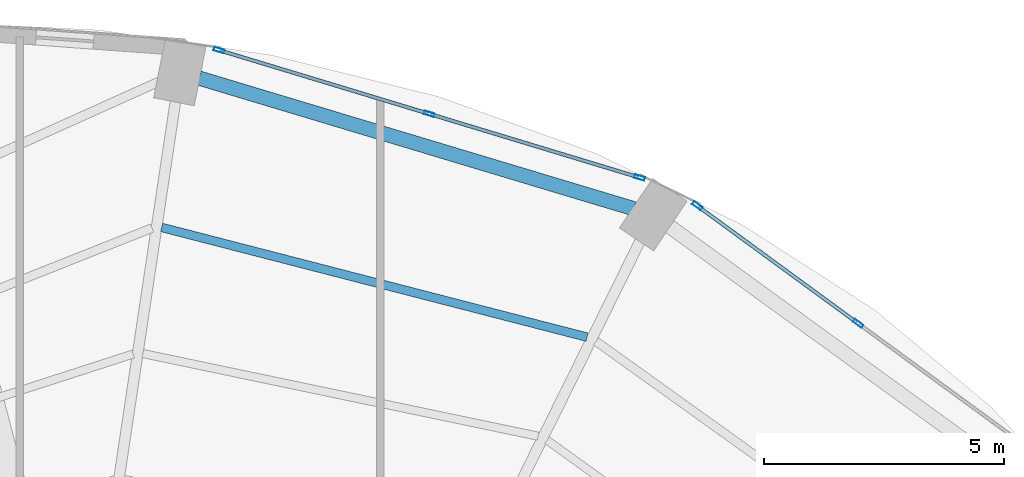
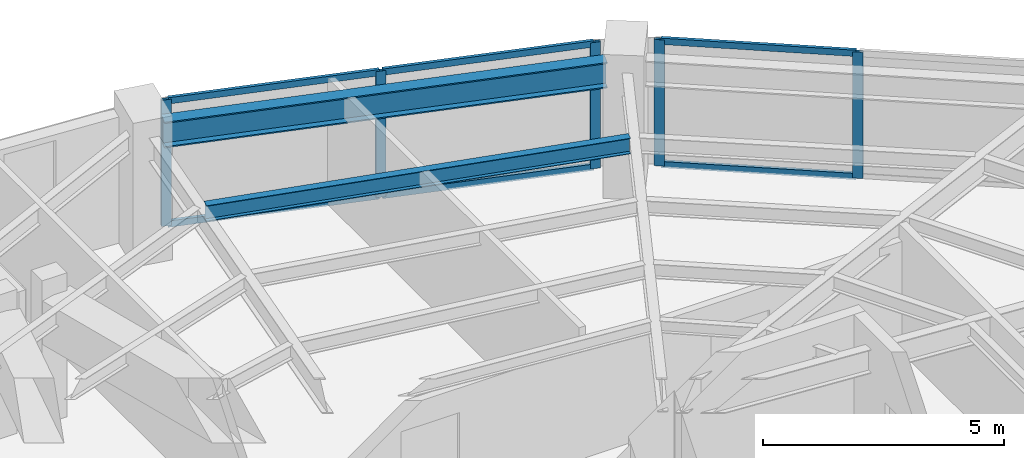
# One storey, part 17 of 24: 11 members, 2 beams, 2 elements without a shape of their own.
"""IFC4 building model written with IfcOpenShell, lengths in metres."""

from ifc_helpers import new_model, si_unit, direction, frame, origin, origin_2d, place, context, subcontext, project, spatial, hollow_rectangle, i_section, extrude, material, layer, layer_set, material_profile, profile_set, type_object, element, aggregate, save


model = new_model("IFC4")

# Units and contexts
model_context = context("Model", 3, precision=1e-05, world=origin(), true_north=direction((0.0, 1.0)))
body_context = subcontext(model_context, "Body", "Model", "MODEL_VIEW")
ifc_project = project(units=[si_unit("LENGTHUNIT", "METRE"), si_unit("AREAUNIT", "SQUARE_METRE"), si_unit("VOLUMEUNIT", "CUBIC_METRE"), si_unit("PLANEANGLEUNIT", "RADIAN"), si_unit("MASSUNIT", "GRAM", prefix="KILO")], contexts=[model_context])

# Site, building, storey
site_placement = place(None, origin())
site = spatial("IfcSite", under=ifc_project, at=site_placement, CompositionType="ELEMENT")
building_placement = place(site_placement, origin())
building = spatial("IfcBuilding", under=site, at=building_placement, Name="Lazwardi Medical Tower", CompositionType="ELEMENT")
storey_placement = place(building_placement, frame((0.0, 0.0, 72.6240234375)))
storey = spatial("IfcBuildingStorey", under=building, at=storey_placement, Name="L18", CompositionType="ELEMENT", Elevation=72.6240234375)

# Beams
ifc_material_1 = material(Name="Steel S355", Category="steel")
ifc_material_profile_1 = material_profile(ifc_material_1, i_section(OverallWidth=0.300048828125, OverallDepth=0.64990234375, WebThickness=0.01611328125, FlangeThickness=0.031005859375, at=origin_2d()), Name="HEB 650")
ifc_profile_set_1 = profile_set([ifc_material_profile_1], Name="Steel S355")
beam_type_1 = type_object("IfcBeamType", Name="BM-RB-Z1", PredefinedType="BEAM", material=ifc_profile_set_1)
beam_1_placement = place(storey_placement, frame((50.77880859375, 47.0048828125, 2.873046875), z_axis=(-0.957695289269, 0.287784177662, 0.0), x_axis=(-0.287784177662, -0.957695289269, 0.0)))
element("IfcBeam", 1, at=beam_1_placement, inside=storey, type_object=beam_type_1, Name="Ring beam RB-02 B07 L18", PredefinedType="BEAM", context=body_context, shape_type="SweptSolid", body=[
    extrude(i_section(OverallWidth=0.300048828125, OverallDepth=0.64990234375, WebThickness=0.01611328125, FlangeThickness=0.031005859375, at=origin_2d()), origin(), (0.0, 0.0, 1.0), 9.445556640625),
])
ifc_material_profile_2 = material_profile(ifc_material_1, i_section(OverallWidth=0.179931640625, OverallDepth=0.39990234375, WebThickness=0.008544921875, FlangeThickness=0.013427734375, at=origin_2d()), Name="IPE 400")
ifc_profile_set_2 = profile_set([ifc_material_profile_2], Name="Steel S355")
beam_type_2 = type_object("IfcBeamType", Name="BM-SJ-01", PredefinedType="JOIST", material=ifc_profile_set_2)
beam_2_placement = place(storey_placement, frame((49.804931640625, 44.333251953125, 2.998046875), z_axis=(-0.968316918308, 0.249724539682, 0.0), x_axis=(-0.249724539682, -0.968316918308, 0.0)))
element("IfcBeam", 2, at=beam_2_placement, inside=storey, type_object=beam_type_2, Name="Secondary joist SJ-01 R1 B07 L18", PredefinedType="JOIST", context=body_context, shape_type="SweptSolid", body=[
    extrude(i_section(OverallWidth=0.179931640625, OverallDepth=0.39990234375, WebThickness=0.008544921875, FlangeThickness=0.013427734375, at=origin_2d()), origin(), (0.0, 0.0, 1.0), 9.140869140625),
])

# Curtain wall, members
ifc_material_2 = material(Name="Anodised bronze aluminium and solar control glazing", Category="aluminium")
ifc_layer = layer(ifc_material_2, 0.199951171875)
ifc_layer_set = layer_set([ifc_layer], Name="Anodised bronze aluminium and solar control glazing")
curtain_wall_type = type_object("IfcCurtainWallType", Name="CW-SYS-02", PredefinedType="NOTDEFINED", material=ifc_layer_set)
curtain_wall_1_placement = place(storey_placement, origin())
curtain_wall_1 = element("IfcCurtainWall", 3, at=curtain_wall_1_placement, inside=storey, type_object=curtain_wall_type, Name="L18 Unitised bronze curtain wall CW-02", PredefinedType="NOTDEFINED")
ifc_material_3 = material(Name="Anodised bronze aluminium", Category="aluminium")
ifc_material_profile_3 = material_profile(ifc_material_3, hollow_rectangle(XDim=0.074951171875, YDim=0.219970703125, WallThickness=0.00390625, at=origin_2d()), Name="ALU-MULLION 220x75x4")
ifc_profile_set_3 = profile_set([ifc_material_profile_3], Name="Anodised bronze aluminium")
member_type_1 = type_object("IfcMemberType", Name="CW-MUL-01", PredefinedType="MULLION", material=ifc_profile_set_3)
member_1_placement = place(storey_placement, frame((55.4443359375, 44.619384765625, 0.0), z_axis=(0.0, 0.0, 1.0), x_axis=(-0.590289307341, -0.807191757663, 0.0)))
member_1 = element("IfcMember", 4, at=member_1_placement, type_object=member_type_1, Name="CW-02 mullion 2", PredefinedType="MULLION", context=body_context, shape_type="SweptSolid", body=[
    extrude(hollow_rectangle(XDim=0.074951171875, YDim=0.219970703125, WallThickness=0.00390625, at=origin_2d()), origin(), (0.0, 0.0, 1.0), 3.197998046875),
])
member_2_placement = place(storey_placement, frame((52.0986328125, 47.066162109375, 0.0), z_axis=(0.0, 0.0, 1.0), x_axis=(-0.590289307341, -0.807191757663, 0.0)))
member_2 = element("IfcMember", 5, at=member_2_placement, type_object=member_type_1, Name="CW-02 mullion 3", PredefinedType="MULLION", context=body_context, shape_type="SweptSolid", body=[
    extrude(hollow_rectangle(XDim=0.074951171875, YDim=0.219970703125, WallThickness=0.00390625, at=origin_2d()), origin(), (0.0, 0.0, 1.0), 3.197998046875),
])

curtain_wall_2_placement = place(storey_placement, origin())
curtain_wall_2 = element("IfcCurtainWall", 6, at=curtain_wall_2_placement, inside=storey, type_object=curtain_wall_type, Name="L18 Unitised bronze curtain wall CW-02", PredefinedType="NOTDEFINED")
member_3_placement = place(storey_placement, frame((50.8984375, 47.653076171875, 0.0), z_axis=(0.0, 0.0, 1.0), x_axis=(-0.2898956909, -0.957058247129, 0.0)))
member_3 = element("IfcMember", 7, at=member_3_placement, type_object=member_type_1, Name="CW-02 mullion 1", PredefinedType="MULLION", context=body_context, shape_type="SweptSolid", body=[
    extrude(hollow_rectangle(XDim=0.074951171875, YDim=0.219970703125, WallThickness=0.00390625, at=origin_2d()), origin(), (0.0, 0.0, 1.0), 3.197998046875),
])
member_4_placement = place(storey_placement, frame((46.523193359375, 48.978515625, 0.0), z_axis=(0.0, 0.0, 1.0), x_axis=(-0.2898956909, -0.957058247129, 0.0)))
member_4 = element("IfcMember", 8, at=member_4_placement, type_object=member_type_1, Name="CW-02 mullion 2", PredefinedType="MULLION", context=body_context, shape_type="SweptSolid", body=[
    extrude(hollow_rectangle(XDim=0.074951171875, YDim=0.219970703125, WallThickness=0.00390625, at=origin_2d()), origin(), (0.0, 0.0, 1.0), 3.197998046875),
])
member_5_placement = place(storey_placement, frame((42.14794921875, 50.3037109375, 0.0), z_axis=(0.0, 0.0, 1.0), x_axis=(-0.2898956909, -0.957058247129, 0.0)))
member_5 = element("IfcMember", 9, at=member_5_placement, type_object=member_type_1, Name="CW-02 mullion 3", PredefinedType="MULLION", context=body_context, shape_type="SweptSolid", body=[
    extrude(hollow_rectangle(XDim=0.074951171875, YDim=0.219970703125, WallThickness=0.00390625, at=origin_2d()), origin(), (0.0, 0.0, 1.0), 3.197998046875),
])

# Member
ifc_material_profile_4 = material_profile(ifc_material_3, hollow_rectangle(XDim=0.074951171875, YDim=0.159912109375, WallThickness=0.00390625, at=origin_2d()), Name="ALU-TRANSOM 160x75x4")
ifc_profile_set_4 = profile_set([ifc_material_profile_4], Name="Anodised bronze aluminium")
member_type_2 = type_object("IfcMemberType", Name="CW-TRN-01", PredefinedType="USERDEFINED", material=ifc_profile_set_4)
member_6_placement = place(storey_placement, frame((55.4140625, 44.641357421875, 0.03759765625), z_axis=(-0.807169053975, 0.590320352271, 0.0), x_axis=(-0.590320352271, -0.807169053975, 0.0)))
member_6 = element("IfcMember", 10, at=member_6_placement, type_object=member_type_2, Name="CW-02 transom 2.1", ObjectType="TRANSOM", PredefinedType="USERDEFINED", context=body_context, shape_type="SweptSolid", body=[
    extrude(hollow_rectangle(XDim=0.074951171875, YDim=0.159912109375, WallThickness=0.00390625, at=origin_2d()), origin(), (0.0, 0.0, 1.0), 4.070068359375),
])

member_7_placement = place(storey_placement, frame((55.4140625, 44.641357421875, 3.160400390625), z_axis=(-0.807169053975, 0.590320352271, 0.0), x_axis=(-0.590320352271, -0.807169053975, 0.0)))
member_7 = element("IfcMember", 11, at=member_7_placement, type_object=member_type_2, Name="CW-02 transom 2.2", ObjectType="TRANSOM", PredefinedType="USERDEFINED", context=body_context, shape_type="SweptSolid", body=[
    extrude(hollow_rectangle(XDim=0.074951171875, YDim=0.159912109375, WallThickness=0.00390625, at=origin_2d()), origin(), (0.0, 0.0, 1.0), 4.070068359375),
])

aggregate(curtain_wall_1, [member_1, member_2, member_6, member_7])

member_8_placement = place(storey_placement, frame((50.862548828125, 47.6640625, 0.03759765625), z_axis=(-0.957062297904, 0.289882317383, 0.0), x_axis=(-0.289882317383, -0.957062297904, 0.0)))
member_8 = element("IfcMember", 12, at=member_8_placement, type_object=member_type_2, Name="CW-02 transom 1.1", ObjectType="TRANSOM", PredefinedType="USERDEFINED", context=body_context, shape_type="SweptSolid", body=[
    extrude(hollow_rectangle(XDim=0.074951171875, YDim=0.159912109375, WallThickness=0.00390625, at=origin_2d()), origin(), (0.0, 0.0, 1.0), 4.49658203125),
])

member_9_placement = place(storey_placement, frame((50.862548828125, 47.6640625, 3.160400390625), z_axis=(-0.957062297904, 0.289882317383, 0.0), x_axis=(-0.289882317383, -0.957062297904, 0.0)))
member_9 = element("IfcMember", 13, at=member_9_placement, type_object=member_type_2, Name="CW-02 transom 1.2", ObjectType="TRANSOM", PredefinedType="USERDEFINED", context=body_context, shape_type="SweptSolid", body=[
    extrude(hollow_rectangle(XDim=0.074951171875, YDim=0.159912109375, WallThickness=0.00390625, at=origin_2d()), origin(), (0.0, 0.0, 1.0), 4.49658203125),
])

member_10_placement = place(storey_placement, frame((46.4873046875, 48.9892578125, 0.03759765625), z_axis=(-0.957047233423, 0.28993204893, 0.0), x_axis=(-0.28993204893, -0.957047233423, 0.0)))
member_10 = element("IfcMember", 14, at=member_10_placement, type_object=member_type_2, Name="CW-02 transom 2.1", ObjectType="TRANSOM", PredefinedType="USERDEFINED", context=body_context, shape_type="SweptSolid", body=[
    extrude(hollow_rectangle(XDim=0.074951171875, YDim=0.159912109375, WallThickness=0.00390625, at=origin_2d()), origin(), (0.0, 0.0, 1.0), 4.49658203125),
])

member_11_placement = place(storey_placement, frame((46.4873046875, 48.9892578125, 3.160400390625), z_axis=(-0.957047233423, 0.28993204893, 0.0), x_axis=(-0.28993204893, -0.957047233423, 0.0)))
member_11 = element("IfcMember", 15, at=member_11_placement, type_object=member_type_2, Name="CW-02 transom 2.2", ObjectType="TRANSOM", PredefinedType="USERDEFINED", context=body_context, shape_type="SweptSolid", body=[
    extrude(hollow_rectangle(XDim=0.074951171875, YDim=0.159912109375, WallThickness=0.00390625, at=origin_2d()), origin(), (0.0, 0.0, 1.0), 4.49658203125),
])

aggregate(curtain_wall_2, [member_3, member_4, member_5, member_8, member_9, member_10, member_11])

save(model, "model.ifc")
